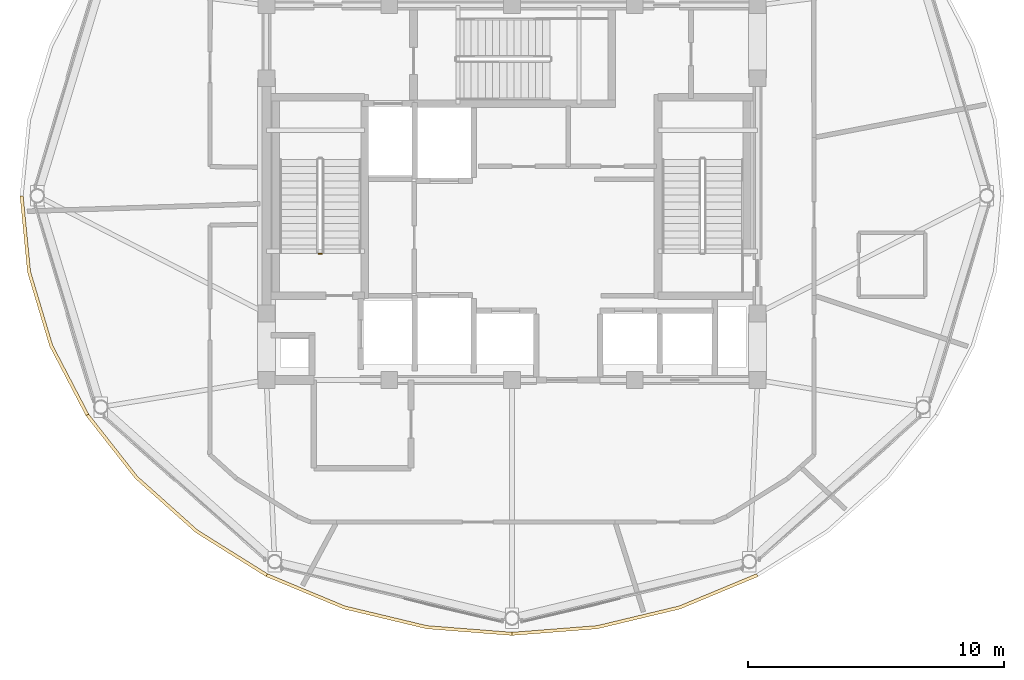
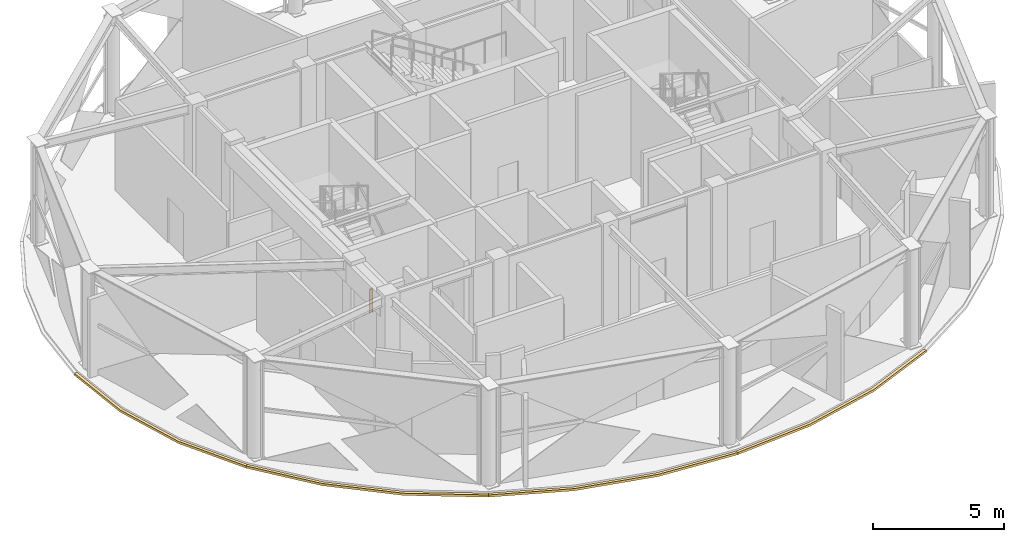
# One storey, part 19 of 22: 4 coverings, 1 railing.
"""IFC4 building model written with IfcOpenShell, lengths in metres."""

from ifc_helpers import new_model, si_unit, direction, frame, origin, origin_2d, place, context, subcontext, project, spatial, polyline, rectangle, outline, extrude, material, layer, layer_set, type_object, element, save


model = new_model("IFC4")

# Units and contexts
model_context = context("Model", 3, precision=1e-05, world=origin(), true_north=direction((0.0, 1.0)))
body_context = subcontext(model_context, "Body", "Model", "MODEL_VIEW")
ifc_project = project(units=[si_unit("LENGTHUNIT", "METRE"), si_unit("AREAUNIT", "SQUARE_METRE"), si_unit("VOLUMEUNIT", "CUBIC_METRE"), si_unit("PLANEANGLEUNIT", "RADIAN"), si_unit("MASSUNIT", "GRAM", prefix="KILO")], contexts=[model_context])

# Site, building, storey
site_placement = place(None, origin())
site = spatial("IfcSite", under=ifc_project, at=site_placement, CompositionType="ELEMENT")
building_placement = place(site_placement, origin())
building = spatial("IfcBuilding", under=site, at=building_placement, Name="Vantalir Tower", CompositionType="ELEMENT")
storey_placement = place(building_placement, frame((0.0, 0.0, 294.89990234375)))
storey = spatial("IfcBuildingStorey", under=building, at=storey_placement, Name="L74", CompositionType="ELEMENT", Elevation=294.89990234375)

# Coverings
ifc_material_1 = material(Name="Anodised champagne aluminium sill fascia", Category="aluminium")
ifc_layer = layer(ifc_material_1, 0.125)
ifc_layer_set = layer_set([ifc_layer], Name="Anodised champagne aluminium sill fascia")
covering_type = type_object("IfcCoveringType", Name="COV-SLAB-FASCIA-125", PredefinedType="CLADDING", material=ifc_layer_set)
covering_1_placement = place(storey_placement, frame((0.0, 0.0, -0.179931640625)))
element("IfcCovering", 1, at=covering_1_placement, inside=storey, type_object=covering_type, Name="L74 Perimeter Slab-Edge Sill Fascia 07", PredefinedType="CLADDING", context=body_context, shape_type="SweptSolid", body=[
    extrude(outline(polyline([(12.264892578125, 25.0), (12.556884765625, 22.01611328125), (13.425048828125, 19.1220703125), (14.842041015625, 16.406005859375), (14.949951171875, 16.468994140625), (13.5419921875, 19.1640625), (12.679931640625, 22.037109375), (12.389892578125, 25.0), (12.264892578125, 25.0)])), origin(), (0.0, 0.0, 1.0), 0.10498046875),
])
covering_2_placement = place(storey_placement, frame((0.0, 0.0, -0.179931640625)))
element("IfcCovering", 2, at=covering_2_placement, inside=storey, type_object=covering_type, Name="L74 Perimeter Slab-Edge Sill Fascia 08", PredefinedType="CLADDING", context=body_context, shape_type="SweptSolid", body=[
    extrude(outline(polyline([(14.842041015625, 16.406005859375), (16.764892578125, 13.951904296875), (19.135986328125, 11.833984375), (21.882080078125, 10.115966796875), (21.945068359375, 10.22412109375), (19.216064453125, 11.929931640625), (16.861083984375, 14.032958984375), (14.949951171875, 16.468994140625), (14.842041015625, 16.406005859375)])), origin(), (0.0, 0.0, 1.0), 0.10498046875),
])
covering_3_placement = place(storey_placement, frame((0.0, 0.0, -0.179931640625)))
element("IfcCovering", 3, at=covering_3_placement, inside=storey, type_object=covering_type, Name="L74 Perimeter Slab-Edge Sill Fascia 09", PredefinedType="CLADDING", context=body_context, shape_type="SweptSolid", body=[
    extrude(outline(polyline([(21.882080078125, 10.115966796875), (24.9208984375, 8.85009765625), (28.159912109375, 8.073974609375), (31.5, 7.81298828125), (31.5, 7.93798828125), (28.181884765625, 8.197021484375), (24.964111328125, 8.967041015625), (21.945068359375, 10.22412109375), (21.882080078125, 10.115966796875)])), origin(), (0.0, 0.0, 1.0), 0.10498046875),
])
covering_4_placement = place(storey_placement, frame((0.0, 0.0, -0.179931640625)))
element("IfcCovering", 4, at=covering_4_placement, inside=storey, type_object=covering_type, Name="L74 Perimeter Slab-Edge Sill Fascia 10", PredefinedType="CLADDING", context=body_context, shape_type="SweptSolid", body=[
    extrude(outline(polyline([(31.5, 7.81298828125), (34.840087890625, 8.073974609375), (38.0791015625, 8.85009765625), (41.117919921875, 10.115966796875), (41.054931640625, 10.22412109375), (38.035888671875, 8.967041015625), (34.818115234375, 8.197021484375), (31.5, 7.93798828125), (31.5, 7.81298828125)])), origin(), (0.0, 0.0, 1.0), 0.10498046875),
])

# Railing
ifc_material_2 = material(Name="Anodised aluminium and stainless steel guard", Category="steel")
railing_type = type_object("IfcRailingType", Name="RAL-GUARD-1120", PredefinedType="GUARDRAIL", material=ifc_material_2)
railing_placement = place(storey_placement, frame((24.06005859375, 22.739990234375, 0.0)))
element("IfcRailing", 5, at=railing_placement, inside=storey, type_object=railing_type, Name="L74 ST1 stair guard 4", PredefinedType="GUARDRAIL", context=body_context, shape_type="SweptSolid", body=[
    extrude(rectangle(XDim=0.048095703125, YDim=0.048095703125, at=origin_2d()), frame((0.0, 0.0, 1.09619140625), z_axis=(-1.0, 0.0, 0.0), x_axis=(0.0, -1.0, 0.0)), (0.0, 0.0, 1.0), 0.1201171875),
    extrude(rectangle(XDim=0.0419921875, YDim=0.0419921875, at=origin_2d()), origin(), (0.0, 0.0, 1.0), 1.072021484375),
    extrude(rectangle(XDim=0.0419921875, YDim=0.0419921875, at=origin_2d()), frame((-0.1201171875, 0.0, 0.0)), (0.0, 0.0, 1.0), 1.072021484375),
])

save(model, "model.ifc")
